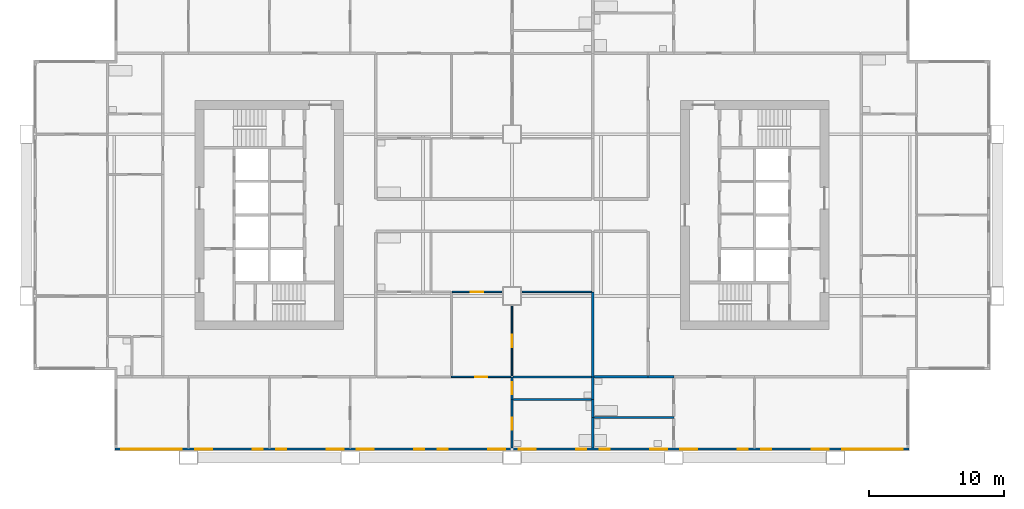
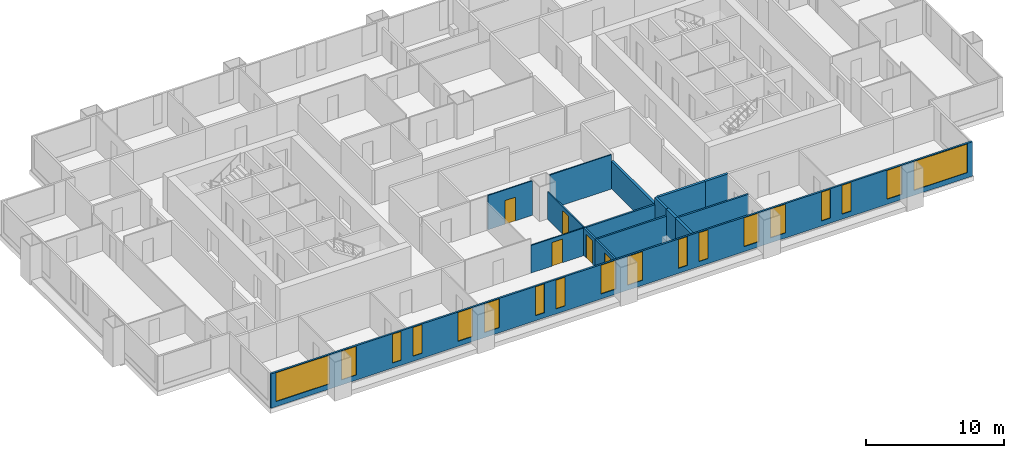
# One storey, part 5 of 11: 18 windows, 16 walls, 5 doors, 23 openings.
"""IFC4 building model written with IfcOpenShell, lengths in metres."""

from ifc_helpers import new_model, si_unit, direction, frame, frame_2d, origin, place, context, subcontext, project, spatial, rectangle, extrude, material, layer, layer_set, type_object, element, fill, save


model = new_model("IFC4")

# Units and contexts
model_context = context("Model", 3, precision=1e-05, world=origin(), true_north=direction((0.0, 1.0)))
body_context = subcontext(model_context, "Body", "Model", "MODEL_VIEW")
ifc_project = project(units=[si_unit("LENGTHUNIT", "METRE"), si_unit("AREAUNIT", "SQUARE_METRE"), si_unit("VOLUMEUNIT", "CUBIC_METRE"), si_unit("PLANEANGLEUNIT", "RADIAN"), si_unit("MASSUNIT", "GRAM", prefix="KILO")], contexts=[model_context])

# Site, building, storey
site_placement = place(None, origin())
site = spatial("IfcSite", under=ifc_project, at=site_placement, CompositionType="ELEMENT")
building_placement = place(site_placement, origin())
building = spatial("IfcBuilding", under=site, at=building_placement, Name="Kitamizu Gate Tower and Museum", CompositionType="ELEMENT")
storey_placement = place(building_placement, frame((0.0, 0.0, 124.199951171875)))
storey = spatial("IfcBuildingStorey", under=building, at=storey_placement, Name="L32", CompositionType="ELEMENT", Elevation=124.199951171875)

# Wall, opening, door
ifc_material_1 = material(Name="Gypsum board on galvanised stud")
ifc_layer_1 = layer(ifc_material_1, 0.10009765625)
ifc_layer_set_1 = layer_set([ifc_layer_1], Name="Gypsum board on galvanised stud")
wall_type_1 = type_object("IfcWallType", Name="Partition 100 NOT RATED", PredefinedType="PARTITIONING", material=ifc_layer_set_1)
wall_1_placement = place(storey_placement, frame((35.925048828125, 18.0, 0.0), z_axis=(0.0, 0.0, 1.0), x_axis=(-1.0, 0.0, 0.0)))
wall_1 = element("IfcWall", 1, at=wall_1_placement, inside=storey, type_object=wall_type_1, Name="Partition L32-012", PredefinedType="PARTITIONING", context=body_context, shape_type="SweptSolid", body=[
    extrude(rectangle(XDim=4.425048828125, YDim=0.10009765625, at=frame_2d((2.21240234375, 0.0))), origin(), (0.0, 0.0, 1.0), 2.449951171875),
])
opening_1_placement = place(wall_1_placement, frame((1.762451171875, 0.0, 0.0)))
opening_1 = element("IfcOpeningElement", 2, at=opening_1_placement, cuts=wall_1, Name="Opening L32-004", PredefinedType="OPENING", context=body_context, shape_type="SweptSolid", body=[
    extrude(rectangle(XDim=0.89990234375, YDim=2.10009765625, at=frame_2d((0.449951171875, 1.050048828125))), frame((0.0, 0.06005859375, 0.0), z_axis=(0.0, -1.0, 0.0), x_axis=(1.0, 0.0, 0.0)), (0.0, 0.0, 1.0), 0.1201171875),
])
ifc_material_2 = material(Name="Timber door set", Category="wood")
door_type_1 = type_object("IfcDoorType", Name="Room door 900", OperationType="NOTDEFINED", PredefinedType="DOOR", material=ifc_material_2)
door_1_placement = place(opening_1_placement, frame((0.89990234375, 0.0, 0.0), x_axis=(-1.0, 0.0, 0.0)))
door_1 = element("IfcDoor", 3, at=door_1_placement, inside=storey, type_object=door_type_1, Name="Door L32-004", OperationType="SINGLE_SWING_RIGHT", OverallHeight=2.10009765625, OverallWidth=0.89990234375, PredefinedType="DOOR", context=body_context, shape_type="SweptSolid", body=[
    extrude(rectangle(XDim=0.89990234375, YDim=2.10009765625, at=frame_2d((0.449951171875, 1.050048828125))), frame((0.0, 0.02490234375, 0.0), z_axis=(0.0, -1.0, 0.0), x_axis=(1.0, 0.0, 0.0)), (0.0, 0.0, 1.0), 0.050048828125),
])
fill(opening_1, door_1)

wall_2_placement = place(storey_placement, frame((36.0, 18.074951171875, 0.0), z_axis=(0.0, 0.0, 1.0), x_axis=(0.0, 1.0, 0.0)))
wall_2 = element("IfcWall", 4, at=wall_2_placement, inside=storey, type_object=wall_type_1, Name="Partition L32-024", PredefinedType="PARTITIONING", context=body_context, shape_type="SweptSolid", body=[
    extrude(rectangle(XDim=5.175048828125, YDim=0.10009765625, at=frame_2d((2.58740234375, 0.0))), origin(), (0.0, 0.0, 1.0), 2.449951171875),
])
opening_2_placement = place(wall_2_placement, frame((2.137451171875, 0.0, 0.0)))
opening_2 = element("IfcOpeningElement", 5, at=opening_2_placement, cuts=wall_2, Name="Opening L32-008", PredefinedType="OPENING", context=body_context, shape_type="SweptSolid", body=[
    extrude(rectangle(XDim=0.89990234375, YDim=2.10009765625, at=frame_2d((0.449951171875, 1.050048828125))), frame((0.0, 0.06005859375, 0.0), z_axis=(0.0, -1.0, 0.0), x_axis=(1.0, 0.0, 0.0)), (0.0, 0.0, 1.0), 0.1201171875),
])
door_2_placement = place(opening_2_placement, origin())
door_2 = element("IfcDoor", 6, at=door_2_placement, inside=storey, type_object=door_type_1, Name="Door L32-008", OperationType="SINGLE_SWING_LEFT", OverallHeight=2.10009765625, OverallWidth=0.89990234375, PredefinedType="DOOR", context=body_context, shape_type="SweptSolid", body=[
    extrude(rectangle(XDim=0.89990234375, YDim=2.10009765625, at=frame_2d((0.449951171875, 1.050048828125))), frame((0.0, 0.02490234375, 0.0), z_axis=(0.0, -1.0, 0.0), x_axis=(1.0, 0.0, 0.0)), (0.0, 0.0, 1.0), 0.050048828125),
])
fill(opening_2, door_2)

wall_3_placement = place(storey_placement, frame((35.25, 24.300048828125, 0.0), z_axis=(0.0, 0.0, 1.0), x_axis=(-1.0, 0.0, 0.0)))
wall_3 = element("IfcWall", 7, at=wall_3_placement, inside=storey, type_object=wall_type_1, Name="Partition L32-025", PredefinedType="PARTITIONING", context=body_context, shape_type="SweptSolid", body=[
    extrude(rectangle(XDim=3.699951171875, YDim=0.10009765625, at=frame_2d((1.85009765625, 0.0))), origin(), (0.0, 0.0, 1.0), 3.050048828125),
])
opening_3_placement = place(wall_3_placement, frame((1.39990234375, 0.0, 0.0)))
opening_3 = element("IfcOpeningElement", 8, at=opening_3_placement, cuts=wall_3, Name="Opening L32-010", PredefinedType="OPENING", context=body_context, shape_type="SweptSolid", body=[
    extrude(rectangle(XDim=0.89990234375, YDim=2.10009765625, at=frame_2d((0.449951171875, 1.050048828125))), frame((0.0, 0.06005859375, 0.0), z_axis=(0.0, -1.0, 0.0), x_axis=(1.0, 0.0, 0.0)), (0.0, 0.0, 1.0), 0.1201171875),
])
door_3_placement = place(opening_3_placement, origin())
door_3 = element("IfcDoor", 9, at=door_3_placement, inside=storey, type_object=door_type_1, Name="Door L32-010", OperationType="SINGLE_SWING_LEFT", OverallHeight=2.10009765625, OverallWidth=0.89990234375, PredefinedType="DOOR", context=body_context, shape_type="SweptSolid", body=[
    extrude(rectangle(XDim=0.89990234375, YDim=2.10009765625, at=frame_2d((0.449951171875, 1.050048828125))), frame((0.0, 0.02490234375, 0.0), z_axis=(0.0, -1.0, 0.0), x_axis=(1.0, 0.0, 0.0)), (0.0, 0.0, 1.0), 0.050048828125),
])
fill(opening_3, door_3)

# Wall
wall_4_placement = place(storey_placement, frame((41.89990234375, 24.300048828125, 0.0), z_axis=(0.0, 0.0, 1.0), x_axis=(-1.0, 0.0, 0.0)))
element("IfcWall", 10, at=wall_4_placement, inside=storey, type_object=wall_type_1, Name="Partition L32-026", PredefinedType="PARTITIONING", context=body_context, shape_type="SweptSolid", body=[
    extrude(rectangle(XDim=5.14990234375, YDim=0.10009765625, at=frame_2d((2.574951171875, 0.0))), origin(), (0.0, 0.0, 1.0), 3.050048828125),
])

# Wall, opening, door
ifc_material_3 = material(Name="Gypsum board on galvanised stud")
ifc_layer_2 = layer(ifc_material_3, 0.14990234375)
ifc_layer_set_2 = layer_set([ifc_layer_2], Name="Gypsum board on galvanised stud")
wall_type_2 = type_object("IfcWallType", Name="Partition 150", PredefinedType="PARTITIONING", material=ifc_layer_set_2)
wall_5_placement = place(storey_placement, frame((36.0, 12.719970703125, 0.0), z_axis=(0.0, 0.0, 1.0), x_axis=(0.0, 1.0, 0.0)))
wall_5 = element("IfcWall", 11, at=wall_5_placement, inside=storey, type_object=wall_type_2, Name="Partition L32-009", PredefinedType="PARTITIONING", context=body_context, shape_type="SweptSolid", body=[
    extrude(rectangle(XDim=3.60009765625, YDim=0.14990234375, at=frame_2d((1.800048828125, 0.0))), origin(), (0.0, 0.0, 1.0), 2.449951171875),
])
opening_4_placement = place(wall_5_placement, frame((1.35009765625, 0.0, 0.0)))
opening_4 = element("IfcOpeningElement", 12, at=opening_4_placement, cuts=wall_5, Name="Opening L32-005", PredefinedType="OPENING", context=body_context, shape_type="SweptSolid", body=[
    extrude(rectangle(XDim=0.89990234375, YDim=2.10009765625, at=frame_2d((0.449951171875, 1.050048828125))), frame((0.0, 0.0849609375, 0.0), z_axis=(0.0, -1.0, 0.0), x_axis=(1.0, 0.0, 0.0)), (0.0, 0.0, 1.0), 0.169921875),
])
ifc_material_4 = material(Name="Timber door set", Category="wood")
door_type_2 = type_object("IfcDoorType", Name="Bathroom door 900", OperationType="NOTDEFINED", PredefinedType="DOOR", material=ifc_material_4)
door_4_placement = place(opening_4_placement, frame((0.89990234375, 0.0, 0.0), x_axis=(-1.0, 0.0, 0.0)))
door_4 = element("IfcDoor", 13, at=door_4_placement, inside=storey, type_object=door_type_2, Name="Bathroom door L32-005", OperationType="SINGLE_SWING_LEFT", OverallHeight=2.10009765625, OverallWidth=0.89990234375, PredefinedType="DOOR", context=body_context, shape_type="SweptSolid", body=[
    extrude(rectangle(XDim=0.89990234375, YDim=2.10009765625, at=frame_2d((0.449951171875, 1.050048828125))), frame((0.0, 0.02490234375, 0.0), z_axis=(0.0, -1.0, 0.0), x_axis=(1.0, 0.0, 0.0)), (0.0, 0.0, 1.0), 0.050048828125),
])
fill(opening_4, door_4)

wall_6_placement = place(storey_placement, frame((36.0, 16.320068359375, 0.0), z_axis=(0.0, 0.0, 1.0), x_axis=(0.0, 1.0, 0.0)))
wall_6 = element("IfcWall", 14, at=wall_6_placement, inside=storey, type_object=wall_type_2, Name="Partition L32-010", PredefinedType="PARTITIONING", context=body_context, shape_type="SweptSolid", body=[
    extrude(rectangle(XDim=1.679931640625, YDim=0.14990234375, at=frame_2d((0.83984375, 0.0))), origin(), (0.0, 0.0, 1.0), 2.449951171875),
])
opening_5_placement = place(wall_6_placement, frame((0.389892578125, 0.0, 0.0)))
opening_5 = element("IfcOpeningElement", 15, at=opening_5_placement, cuts=wall_6, Name="Opening L32-007", PredefinedType="OPENING", context=body_context, shape_type="SweptSolid", body=[
    extrude(rectangle(XDim=0.89990234375, YDim=2.10009765625, at=frame_2d((0.449951171875, 1.050048828125))), frame((0.0, 0.0849609375, 0.0), z_axis=(0.0, -1.0, 0.0), x_axis=(1.0, 0.0, 0.0)), (0.0, 0.0, 1.0), 0.169921875),
])
door_5_placement = place(opening_5_placement, frame((0.89990234375, 0.0, 0.0), x_axis=(-1.0, 0.0, 0.0)))
door_5 = element("IfcDoor", 16, at=door_5_placement, inside=storey, type_object=door_type_2, Name="Bathroom door L32-007", OperationType="SINGLE_SWING_LEFT", OverallHeight=2.10009765625, OverallWidth=0.89990234375, PredefinedType="DOOR", context=body_context, shape_type="SweptSolid", body=[
    extrude(rectangle(XDim=0.89990234375, YDim=2.10009765625, at=frame_2d((0.449951171875, 1.050048828125))), frame((0.0, 0.02490234375, 0.0), z_axis=(0.0, -1.0, 0.0), x_axis=(1.0, 0.0, 0.0)), (0.0, 0.0, 1.0), 0.050048828125),
])
fill(opening_5, door_5)

# Walls
for number, where, z_axis, x_axis, name in (
    (17, (41.89990234375, 16.320068359375, 0.0), (0.0, 0.0, 1.0), (-1.0, 0.0, 0.0), "Partition L32-014"),
    (18, (41.89990234375, 18.0, 0.0), (0.0, 0.0, 1.0), (-1.0, 0.0, 0.0), "Partition L32-017"),
):
    element("IfcWall", number, at=place(storey_placement, frame(where, z_axis=z_axis, x_axis=x_axis)), inside=storey, type_object=wall_type_2, Name=name, PredefinedType="PARTITIONING", context=body_context, shape_type="SweptSolid", body=[
        extrude(rectangle(XDim=5.824951171875, YDim=0.14990234375, at=frame_2d((2.91259765625, 0.0))), origin(), (0.0, 0.0, 1.0), 2.449951171875),
    ])
wall_7_placement = place(storey_placement, frame((48.0, 15.0, 0.0), z_axis=(0.0, 0.0, 1.0), x_axis=(-1.0, 0.0, 0.0)))
element("IfcWall", 19, at=wall_7_placement, inside=storey, type_object=wall_type_2, Name="Partition L32-086", PredefinedType="PARTITIONING", context=body_context, shape_type="SweptSolid", body=[
    extrude(rectangle(XDim=5.89990234375, YDim=0.14990234375, at=frame_2d((2.949951171875, 0.0))), origin(), (0.0, 0.0, 1.0), 3.050048828125),
])
ifc_material_5 = material(Name="Gypsum board on galvanised stud")
ifc_layer_3 = layer(ifc_material_5, 0.199951171875)
ifc_layer_set_3 = layer_set([ifc_layer_3], Name="Gypsum board on galvanised stud")
wall_type_3 = type_object("IfcWallType", Name="Partition 200", PredefinedType="PARTITIONING", material=ifc_layer_set_3)
wall_8_placement = place(storey_placement, frame((42.0, 12.719970703125, 0.0), z_axis=(0.0, 0.0, 1.0), x_axis=(0.0, 1.0, 0.0)))
element("IfcWall", 20, at=wall_8_placement, inside=storey, type_object=wall_type_3, Name="Partition L32-015", PredefinedType="PARTITIONING", context=body_context, shape_type="SweptSolid", body=[
    extrude(rectangle(XDim=2.280029296875, YDim=0.199951171875, at=frame_2d((1.14013671875, 0.0))), origin(), (0.0, 0.0, 1.0), 3.050048828125),
])
wall_9_placement = place(storey_placement, frame((42.0, 15.0, 0.0), z_axis=(0.0, 0.0, 1.0), x_axis=(0.0, 1.0, 0.0)))
element("IfcWall", 21, at=wall_9_placement, inside=storey, type_object=wall_type_3, Name="Partition L32-016", PredefinedType="PARTITIONING", context=body_context, shape_type="SweptSolid", body=[
    extrude(rectangle(XDim=1.320068359375, YDim=0.199951171875, at=frame_2d((0.66015625, 0.0))), origin(), (0.0, 0.0, 1.0), 3.050048828125),
])
wall_10_placement = place(storey_placement, frame((42.0, 16.320068359375, 0.0), z_axis=(0.0, 0.0, 1.0), x_axis=(0.0, 1.0, 0.0)))
element("IfcWall", 22, at=wall_10_placement, inside=storey, type_object=wall_type_3, Name="Partition L32-018", PredefinedType="PARTITIONING", context=body_context, shape_type="SweptSolid", body=[
    extrude(rectangle(XDim=1.679931640625, YDim=0.199951171875, at=frame_2d((0.83984375, 0.0))), origin(), (0.0, 0.0, 1.0), 3.050048828125),
])
wall_11_placement = place(storey_placement, frame((42.0, 18.0, 0.0), z_axis=(0.0, 0.0, 1.0), x_axis=(0.0, 1.0, 0.0)))
element("IfcWall", 23, at=wall_11_placement, inside=storey, type_object=wall_type_3, Name="Partition L32-027", PredefinedType="PARTITIONING", context=body_context, shape_type="SweptSolid", body=[
    extrude(rectangle(XDim=6.300048828125, YDim=0.199951171875, at=frame_2d((3.14990234375, 0.0))), origin(), (0.0, 0.0, 1.0), 2.449951171875),
])
wall_12_placement = place(storey_placement, frame((46.10009765625, 18.0, 0.0), z_axis=(0.0, 0.0, 1.0), x_axis=(-1.0, 0.0, 0.0)))
element("IfcWall", 24, at=wall_12_placement, inside=storey, type_object=wall_type_3, Name="Partition L32-089", PredefinedType="PARTITIONING", context=body_context, shape_type="SweptSolid", body=[
    extrude(rectangle(XDim=4.0, YDim=0.199951171875, at=frame_2d((2.0, 0.0))), origin(), (0.0, 0.0, 1.0), 3.050048828125),
])
wall_13_placement = place(storey_placement, frame((48.0, 18.0, 0.0), z_axis=(0.0, 0.0, 1.0), x_axis=(-1.0, 0.0, 0.0)))
element("IfcWall", 25, at=wall_13_placement, inside=storey, type_object=wall_type_3, Name="Partition L32-090", PredefinedType="PARTITIONING", context=body_context, shape_type="SweptSolid", body=[
    extrude(rectangle(XDim=1.89990234375, YDim=0.199951171875, at=frame_2d((0.949951171875, 0.0))), origin(), (0.0, 0.0, 1.0), 3.050048828125),
])

# Wall, openings, windows
ifc_material_6 = material(Name="Bronze anodised aluminium frame with insulated spandrel and tinted glass", Category="aluminium")
ifc_layer_4 = layer(ifc_material_6, 0.14990234375)
ifc_layer_set_4 = layer_set([ifc_layer_4], Name="Bronze anodised aluminium frame with insulated spandrel and tinted glass")
wall_type_4 = type_object("IfcWallType", Name="WINDOW WALL 150 BRONZE FRAME EI 30", PredefinedType="ELEMENTEDWALL", material=ifc_layer_set_4)
wall_14_placement = place(storey_placement, frame((6.56005859375, 12.635009765625, 0.0), z_axis=(0.0, 0.0, 1.0), x_axis=(1.0, 0.0, 0.0)))
wall_14 = element("IfcWall", 26, at=wall_14_placement, inside=storey, type_object=wall_type_4, Name="Window wall south L32", PredefinedType="ELEMENTEDWALL", context=body_context, shape_type="SweptSolid", body=[
    extrude(rectangle(XDim=58.8798828125, YDim=0.14990234375, at=frame_2d((29.43994140625, 0.0))), origin(), (0.0, 0.0, 1.0), 3.050048828125),
])
opening_6_placement = place(wall_14_placement, frame((0.43994140625, 0.0, 0.449951171875)))
opening_6 = element("IfcOpeningElement", 27, at=opening_6_placement, cuts=wall_14, Name="Opening W15", PredefinedType="OPENING", context=body_context, shape_type="SweptSolid", body=[
    extrude(rectangle(XDim=4.5, YDim=2.550048828125, at=frame_2d((2.25, 1.27490234375))), frame((0.0, 0.0849609375, 0.0), z_axis=(0.0, -1.0, 0.0), x_axis=(1.0, 0.0, 0.0)), (0.0, 0.0, 1.0), 0.169921875),
])
opening_7_placement = place(wall_14_placement, frame((5.93994140625, 0.0, 0.449951171875)))
opening_7 = element("IfcOpeningElement", 28, at=opening_7_placement, cuts=wall_14, Name="Opening W27", PredefinedType="OPENING", context=body_context, shape_type="SweptSolid", body=[
    extrude(rectangle(XDim=1.25, YDim=2.550048828125, at=frame_2d((0.625, 1.27490234375))), frame((0.0, 0.0849609375, 0.0), z_axis=(0.0, -1.0, 0.0), x_axis=(1.0, 0.0, 0.0)), (0.0, 0.0, 1.0), 0.169921875),
])
opening_8_placement = place(wall_14_placement, frame((10.18994140625, 0.0, 0.449951171875)))
opening_8 = element("IfcOpeningElement", 29, at=opening_8_placement, cuts=wall_14, Name="Opening W25", PredefinedType="OPENING", context=body_context, shape_type="SweptSolid", body=[
    extrude(rectangle(XDim=0.75, YDim=2.550048828125, at=frame_2d((0.375, 1.27490234375))), frame((0.0, 0.0849609375, 0.0), z_axis=(0.0, -1.0, 0.0), x_axis=(1.0, 0.0, 0.0)), (0.0, 0.0, 1.0), 0.169921875),
])
opening_9_placement = place(wall_14_placement, frame((11.93994140625, 0.0, 0.449951171875)))
opening_9 = element("IfcOpeningElement", 30, at=opening_9_placement, cuts=wall_14, Name="Opening W25", PredefinedType="OPENING", context=body_context, shape_type="SweptSolid", body=[
    extrude(rectangle(XDim=0.75, YDim=2.550048828125, at=frame_2d((0.375, 1.27490234375))), frame((0.0, 0.0849609375, 0.0), z_axis=(0.0, -1.0, 0.0), x_axis=(1.0, 0.0, 0.0)), (0.0, 0.0, 1.0), 0.169921875),
])
opening_10_placement = place(wall_14_placement, frame((15.68994140625, 0.0, 0.449951171875)))
opening_10 = element("IfcOpeningElement", 31, at=opening_10_placement, cuts=wall_14, Name="Opening W27", PredefinedType="OPENING", context=body_context, shape_type="SweptSolid", body=[
    extrude(rectangle(XDim=1.25, YDim=2.550048828125, at=frame_2d((0.625, 1.27490234375))), frame((0.0, 0.0849609375, 0.0), z_axis=(0.0, -1.0, 0.0), x_axis=(1.0, 0.0, 0.0)), (0.0, 0.0, 1.0), 0.169921875),
])
opening_11_placement = place(wall_14_placement, frame((17.93994140625, 0.0, 0.449951171875)))
opening_11 = element("IfcOpeningElement", 32, at=opening_11_placement, cuts=wall_14, Name="Opening W27", PredefinedType="OPENING", context=body_context, shape_type="SweptSolid", body=[
    extrude(rectangle(XDim=1.25, YDim=2.550048828125, at=frame_2d((0.625, 1.27490234375))), frame((0.0, 0.0849609375, 0.0), z_axis=(0.0, -1.0, 0.0), x_axis=(1.0, 0.0, 0.0)), (0.0, 0.0, 1.0), 0.169921875),
])
opening_12_placement = place(wall_14_placement, frame((22.18994140625, 0.0, 0.449951171875)))
opening_12 = element("IfcOpeningElement", 33, at=opening_12_placement, cuts=wall_14, Name="Opening W25", PredefinedType="OPENING", context=body_context, shape_type="SweptSolid", body=[
    extrude(rectangle(XDim=0.75, YDim=2.550048828125, at=frame_2d((0.375, 1.27490234375))), frame((0.0, 0.0849609375, 0.0), z_axis=(0.0, -1.0, 0.0), x_axis=(1.0, 0.0, 0.0)), (0.0, 0.0, 1.0), 0.169921875),
])
opening_13_placement = place(wall_14_placement, frame((23.93994140625, 0.0, 0.449951171875)))
opening_13 = element("IfcOpeningElement", 34, at=opening_13_placement, cuts=wall_14, Name="Opening W25", PredefinedType="OPENING", context=body_context, shape_type="SweptSolid", body=[
    extrude(rectangle(XDim=0.75, YDim=2.550048828125, at=frame_2d((0.375, 1.27490234375))), frame((0.0, 0.0849609375, 0.0), z_axis=(0.0, -1.0, 0.0), x_axis=(1.0, 0.0, 0.0)), (0.0, 0.0, 1.0), 0.169921875),
])
opening_14_placement = place(wall_14_placement, frame((27.68994140625, 0.0, 0.449951171875)))
opening_14 = element("IfcOpeningElement", 35, at=opening_14_placement, cuts=wall_14, Name="Opening W27", PredefinedType="OPENING", context=body_context, shape_type="SweptSolid", body=[
    extrude(rectangle(XDim=1.25, YDim=2.550048828125, at=frame_2d((0.625, 1.27490234375))), frame((0.0, 0.0849609375, 0.0), z_axis=(0.0, -1.0, 0.0), x_axis=(1.0, 0.0, 0.0)), (0.0, 0.0, 1.0), 0.169921875),
])
opening_15_placement = place(wall_14_placement, frame((29.93994140625, 0.0, 0.449951171875)))
opening_15 = element("IfcOpeningElement", 36, at=opening_15_placement, cuts=wall_14, Name="Opening W27", PredefinedType="OPENING", context=body_context, shape_type="SweptSolid", body=[
    extrude(rectangle(XDim=1.25, YDim=2.550048828125, at=frame_2d((0.625, 1.27490234375))), frame((0.0, 0.0849609375, 0.0), z_axis=(0.0, -1.0, 0.0), x_axis=(1.0, 0.0, 0.0)), (0.0, 0.0, 1.0), 0.169921875),
])
opening_16_placement = place(wall_14_placement, frame((34.18994140625, 0.0, 0.449951171875)))
opening_16 = element("IfcOpeningElement", 37, at=opening_16_placement, cuts=wall_14, Name="Opening W25", PredefinedType="OPENING", context=body_context, shape_type="SweptSolid", body=[
    extrude(rectangle(XDim=0.75, YDim=2.550048828125, at=frame_2d((0.375, 1.27490234375))), frame((0.0, 0.0849609375, 0.0), z_axis=(0.0, -1.0, 0.0), x_axis=(1.0, 0.0, 0.0)), (0.0, 0.0, 1.0), 0.169921875),
])
opening_17_placement = place(wall_14_placement, frame((35.93994140625, 0.0, 0.449951171875)))
opening_17 = element("IfcOpeningElement", 38, at=opening_17_placement, cuts=wall_14, Name="Opening W25", PredefinedType="OPENING", context=body_context, shape_type="SweptSolid", body=[
    extrude(rectangle(XDim=0.75, YDim=2.550048828125, at=frame_2d((0.375, 1.27490234375))), frame((0.0, 0.0849609375, 0.0), z_axis=(0.0, -1.0, 0.0), x_axis=(1.0, 0.0, 0.0)), (0.0, 0.0, 1.0), 0.169921875),
])
opening_18_placement = place(wall_14_placement, frame((39.68994140625, 0.0, 0.449951171875)))
opening_18 = element("IfcOpeningElement", 39, at=opening_18_placement, cuts=wall_14, Name="Opening W27", PredefinedType="OPENING", context=body_context, shape_type="SweptSolid", body=[
    extrude(rectangle(XDim=1.25, YDim=2.550048828125, at=frame_2d((0.625, 1.27490234375))), frame((0.0, 0.0849609375, 0.0), z_axis=(0.0, -1.0, 0.0), x_axis=(1.0, 0.0, 0.0)), (0.0, 0.0, 1.0), 0.169921875),
])
opening_19_placement = place(wall_14_placement, frame((41.93994140625, 0.0, 0.449951171875)))
opening_19 = element("IfcOpeningElement", 40, at=opening_19_placement, cuts=wall_14, Name="Opening W27", PredefinedType="OPENING", context=body_context, shape_type="SweptSolid", body=[
    extrude(rectangle(XDim=1.25, YDim=2.550048828125, at=frame_2d((0.625, 1.27490234375))), frame((0.0, 0.0849609375, 0.0), z_axis=(0.0, -1.0, 0.0), x_axis=(1.0, 0.0, 0.0)), (0.0, 0.0, 1.0), 0.169921875),
])
opening_20_placement = place(wall_14_placement, frame((46.18994140625, 0.0, 0.449951171875)))
opening_20 = element("IfcOpeningElement", 41, at=opening_20_placement, cuts=wall_14, Name="Opening W25", PredefinedType="OPENING", context=body_context, shape_type="SweptSolid", body=[
    extrude(rectangle(XDim=0.75, YDim=2.550048828125, at=frame_2d((0.375, 1.27490234375))), frame((0.0, 0.0849609375, 0.0), z_axis=(0.0, -1.0, 0.0), x_axis=(1.0, 0.0, 0.0)), (0.0, 0.0, 1.0), 0.169921875),
])
opening_21_placement = place(wall_14_placement, frame((47.93994140625, 0.0, 0.449951171875)))
opening_21 = element("IfcOpeningElement", 42, at=opening_21_placement, cuts=wall_14, Name="Opening W25", PredefinedType="OPENING", context=body_context, shape_type="SweptSolid", body=[
    extrude(rectangle(XDim=0.75, YDim=2.550048828125, at=frame_2d((0.375, 1.27490234375))), frame((0.0, 0.0849609375, 0.0), z_axis=(0.0, -1.0, 0.0), x_axis=(1.0, 0.0, 0.0)), (0.0, 0.0, 1.0), 0.169921875),
])
opening_22_placement = place(wall_14_placement, frame((51.68994140625, 0.0, 0.449951171875)))
opening_22 = element("IfcOpeningElement", 43, at=opening_22_placement, cuts=wall_14, Name="Opening W27", PredefinedType="OPENING", context=body_context, shape_type="SweptSolid", body=[
    extrude(rectangle(XDim=1.25, YDim=2.550048828125, at=frame_2d((0.625, 1.27490234375))), frame((0.0, 0.0849609375, 0.0), z_axis=(0.0, -1.0, 0.0), x_axis=(1.0, 0.0, 0.0)), (0.0, 0.0, 1.0), 0.169921875),
])
opening_23_placement = place(wall_14_placement, frame((53.93994140625, 0.0, 0.449951171875)))
opening_23 = element("IfcOpeningElement", 44, at=opening_23_placement, cuts=wall_14, Name="Opening W15", PredefinedType="OPENING", context=body_context, shape_type="SweptSolid", body=[
    extrude(rectangle(XDim=4.5, YDim=2.550048828125, at=frame_2d((2.25, 1.27490234375))), frame((0.0, 0.0849609375, 0.0), z_axis=(0.0, -1.0, 0.0), x_axis=(1.0, 0.0, 0.0)), (0.0, 0.0, 1.0), 0.169921875),
])
ifc_material_7 = material(Name="Bronze anodised aluminium frame, tinted triple glazing", Category="aluminium")
window_type_1 = type_object("IfcWindowType", Name="WINDOW 1250 x 2550 SILL 450", PartitioningType="SINGLE_PANEL", PredefinedType="WINDOW", material=ifc_material_7)
window_1_placement = place(opening_7_placement, origin())
window_1 = element("IfcWindow", 45, at=window_1_placement, inside=storey, type_object=window_type_1, Name="Window W27 L32", OverallHeight=2.550048828125, OverallWidth=1.25, PartitioningType="SINGLE_PANEL", PredefinedType="WINDOW", context=body_context, shape_type="SweptSolid", body=[
    extrude(rectangle(XDim=1.25, YDim=2.550048828125, at=frame_2d((0.625, 1.27490234375))), frame((0.0, 0.030029296875, 0.0), z_axis=(0.0, -1.0, 0.0), x_axis=(1.0, 0.0, 0.0)), (0.0, 0.0, 1.0), 0.06005859375),
])
fill(opening_7, window_1)
window_2_placement = place(opening_10_placement, origin())
window_2 = element("IfcWindow", 46, at=window_2_placement, inside=storey, type_object=window_type_1, Name="Window W27 L32", OverallHeight=2.550048828125, OverallWidth=1.25, PartitioningType="SINGLE_PANEL", PredefinedType="WINDOW", context=body_context, shape_type="SweptSolid", body=[
    extrude(rectangle(XDim=1.25, YDim=2.550048828125, at=frame_2d((0.625, 1.27490234375))), frame((0.0, 0.030029296875, 0.0), z_axis=(0.0, -1.0, 0.0), x_axis=(1.0, 0.0, 0.0)), (0.0, 0.0, 1.0), 0.06005859375),
])
fill(opening_10, window_2)
window_3_placement = place(opening_11_placement, origin())
window_3 = element("IfcWindow", 47, at=window_3_placement, inside=storey, type_object=window_type_1, Name="Window W27 L32", OverallHeight=2.550048828125, OverallWidth=1.25, PartitioningType="SINGLE_PANEL", PredefinedType="WINDOW", context=body_context, shape_type="SweptSolid", body=[
    extrude(rectangle(XDim=1.25, YDim=2.550048828125, at=frame_2d((0.625, 1.27490234375))), frame((0.0, 0.030029296875, 0.0), z_axis=(0.0, -1.0, 0.0), x_axis=(1.0, 0.0, 0.0)), (0.0, 0.0, 1.0), 0.06005859375),
])
fill(opening_11, window_3)
window_4_placement = place(opening_14_placement, origin())
window_4 = element("IfcWindow", 48, at=window_4_placement, inside=storey, type_object=window_type_1, Name="Window W27 L32", OverallHeight=2.550048828125, OverallWidth=1.25, PartitioningType="SINGLE_PANEL", PredefinedType="WINDOW", context=body_context, shape_type="SweptSolid", body=[
    extrude(rectangle(XDim=1.25, YDim=2.550048828125, at=frame_2d((0.625, 1.27490234375))), frame((0.0, 0.030029296875, 0.0), z_axis=(0.0, -1.0, 0.0), x_axis=(1.0, 0.0, 0.0)), (0.0, 0.0, 1.0), 0.06005859375),
])
fill(opening_14, window_4)
window_5_placement = place(opening_15_placement, origin())
window_5 = element("IfcWindow", 49, at=window_5_placement, inside=storey, type_object=window_type_1, Name="Window W27 L32", OverallHeight=2.550048828125, OverallWidth=1.25, PartitioningType="SINGLE_PANEL", PredefinedType="WINDOW", context=body_context, shape_type="SweptSolid", body=[
    extrude(rectangle(XDim=1.25, YDim=2.550048828125, at=frame_2d((0.625, 1.27490234375))), frame((0.0, 0.030029296875, 0.0), z_axis=(0.0, -1.0, 0.0), x_axis=(1.0, 0.0, 0.0)), (0.0, 0.0, 1.0), 0.06005859375),
])
fill(opening_15, window_5)
window_6_placement = place(opening_18_placement, origin())
window_6 = element("IfcWindow", 50, at=window_6_placement, inside=storey, type_object=window_type_1, Name="Window W27 L32", OverallHeight=2.550048828125, OverallWidth=1.25, PartitioningType="SINGLE_PANEL", PredefinedType="WINDOW", context=body_context, shape_type="SweptSolid", body=[
    extrude(rectangle(XDim=1.25, YDim=2.550048828125, at=frame_2d((0.625, 1.27490234375))), frame((0.0, 0.030029296875, 0.0), z_axis=(0.0, -1.0, 0.0), x_axis=(1.0, 0.0, 0.0)), (0.0, 0.0, 1.0), 0.06005859375),
])
fill(opening_18, window_6)
window_7_placement = place(opening_19_placement, origin())
window_7 = element("IfcWindow", 51, at=window_7_placement, inside=storey, type_object=window_type_1, Name="Window W27 L32", OverallHeight=2.550048828125, OverallWidth=1.25, PartitioningType="SINGLE_PANEL", PredefinedType="WINDOW", context=body_context, shape_type="SweptSolid", body=[
    extrude(rectangle(XDim=1.25, YDim=2.550048828125, at=frame_2d((0.625, 1.27490234375))), frame((0.0, 0.030029296875, 0.0), z_axis=(0.0, -1.0, 0.0), x_axis=(1.0, 0.0, 0.0)), (0.0, 0.0, 1.0), 0.06005859375),
])
fill(opening_19, window_7)
window_8_placement = place(opening_22_placement, origin())
window_8 = element("IfcWindow", 52, at=window_8_placement, inside=storey, type_object=window_type_1, Name="Window W27 L32", OverallHeight=2.550048828125, OverallWidth=1.25, PartitioningType="SINGLE_PANEL", PredefinedType="WINDOW", context=body_context, shape_type="SweptSolid", body=[
    extrude(rectangle(XDim=1.25, YDim=2.550048828125, at=frame_2d((0.625, 1.27490234375))), frame((0.0, 0.030029296875, 0.0), z_axis=(0.0, -1.0, 0.0), x_axis=(1.0, 0.0, 0.0)), (0.0, 0.0, 1.0), 0.06005859375),
])
fill(opening_22, window_8)
ifc_material_8 = material(Name="Bronze anodised aluminium frame, tinted triple glazing", Category="aluminium")
window_type_2 = type_object("IfcWindowType", Name="WINDOW 4500 x 2550 SILL 450", PartitioningType="SINGLE_PANEL", PredefinedType="WINDOW", material=ifc_material_8)
window_9_placement = place(opening_6_placement, origin())
window_9 = element("IfcWindow", 53, at=window_9_placement, inside=storey, type_object=window_type_2, Name="Window W15 L32", OverallHeight=2.550048828125, OverallWidth=4.5, PartitioningType="SINGLE_PANEL", PredefinedType="WINDOW", context=body_context, shape_type="SweptSolid", body=[
    extrude(rectangle(XDim=4.5, YDim=2.550048828125, at=frame_2d((2.25, 1.27490234375))), frame((0.0, 0.030029296875, 0.0), z_axis=(0.0, -1.0, 0.0), x_axis=(1.0, 0.0, 0.0)), (0.0, 0.0, 1.0), 0.06005859375),
])
fill(opening_6, window_9)
window_10_placement = place(opening_23_placement, origin())
window_10 = element("IfcWindow", 54, at=window_10_placement, inside=storey, type_object=window_type_2, Name="Window W15 L32", OverallHeight=2.550048828125, OverallWidth=4.5, PartitioningType="SINGLE_PANEL", PredefinedType="WINDOW", context=body_context, shape_type="SweptSolid", body=[
    extrude(rectangle(XDim=4.5, YDim=2.550048828125, at=frame_2d((2.25, 1.27490234375))), frame((0.0, 0.030029296875, 0.0), z_axis=(0.0, -1.0, 0.0), x_axis=(1.0, 0.0, 0.0)), (0.0, 0.0, 1.0), 0.06005859375),
])
fill(opening_23, window_10)
ifc_material_9 = material(Name="Bronze anodised aluminium frame, tinted triple glazing", Category="aluminium")
window_type_3 = type_object("IfcWindowType", Name="WINDOW 750 x 2550 SILL 450", PartitioningType="SINGLE_PANEL", PredefinedType="WINDOW", material=ifc_material_9)
window_11_placement = place(opening_8_placement, origin())
window_11 = element("IfcWindow", 55, at=window_11_placement, inside=storey, type_object=window_type_3, Name="Window W25 L32", OverallHeight=2.550048828125, OverallWidth=0.75, PartitioningType="SINGLE_PANEL", PredefinedType="WINDOW", context=body_context, shape_type="SweptSolid", body=[
    extrude(rectangle(XDim=0.75, YDim=2.550048828125, at=frame_2d((0.375, 1.27490234375))), frame((0.0, 0.030029296875, 0.0), z_axis=(0.0, -1.0, 0.0), x_axis=(1.0, 0.0, 0.0)), (0.0, 0.0, 1.0), 0.06005859375),
])
fill(opening_8, window_11)
window_12_placement = place(opening_9_placement, origin())
window_12 = element("IfcWindow", 56, at=window_12_placement, inside=storey, type_object=window_type_3, Name="Window W25 L32", OverallHeight=2.550048828125, OverallWidth=0.75, PartitioningType="SINGLE_PANEL", PredefinedType="WINDOW", context=body_context, shape_type="SweptSolid", body=[
    extrude(rectangle(XDim=0.75, YDim=2.550048828125, at=frame_2d((0.375, 1.27490234375))), frame((0.0, 0.030029296875, 0.0), z_axis=(0.0, -1.0, 0.0), x_axis=(1.0, 0.0, 0.0)), (0.0, 0.0, 1.0), 0.06005859375),
])
fill(opening_9, window_12)
window_13_placement = place(opening_12_placement, origin())
window_13 = element("IfcWindow", 57, at=window_13_placement, inside=storey, type_object=window_type_3, Name="Window W25 L32", OverallHeight=2.550048828125, OverallWidth=0.75, PartitioningType="SINGLE_PANEL", PredefinedType="WINDOW", context=body_context, shape_type="SweptSolid", body=[
    extrude(rectangle(XDim=0.75, YDim=2.550048828125, at=frame_2d((0.375, 1.27490234375))), frame((0.0, 0.030029296875, 0.0), z_axis=(0.0, -1.0, 0.0), x_axis=(1.0, 0.0, 0.0)), (0.0, 0.0, 1.0), 0.06005859375),
])
fill(opening_12, window_13)
window_14_placement = place(opening_13_placement, origin())
window_14 = element("IfcWindow", 58, at=window_14_placement, inside=storey, type_object=window_type_3, Name="Window W25 L32", OverallHeight=2.550048828125, OverallWidth=0.75, PartitioningType="SINGLE_PANEL", PredefinedType="WINDOW", context=body_context, shape_type="SweptSolid", body=[
    extrude(rectangle(XDim=0.75, YDim=2.550048828125, at=frame_2d((0.375, 1.27490234375))), frame((0.0, 0.030029296875, 0.0), z_axis=(0.0, -1.0, 0.0), x_axis=(1.0, 0.0, 0.0)), (0.0, 0.0, 1.0), 0.06005859375),
])
fill(opening_13, window_14)
window_15_placement = place(opening_16_placement, origin())
window_15 = element("IfcWindow", 59, at=window_15_placement, inside=storey, type_object=window_type_3, Name="Window W25 L32", OverallHeight=2.550048828125, OverallWidth=0.75, PartitioningType="SINGLE_PANEL", PredefinedType="WINDOW", context=body_context, shape_type="SweptSolid", body=[
    extrude(rectangle(XDim=0.75, YDim=2.550048828125, at=frame_2d((0.375, 1.27490234375))), frame((0.0, 0.030029296875, 0.0), z_axis=(0.0, -1.0, 0.0), x_axis=(1.0, 0.0, 0.0)), (0.0, 0.0, 1.0), 0.06005859375),
])
fill(opening_16, window_15)
window_16_placement = place(opening_17_placement, origin())
window_16 = element("IfcWindow", 60, at=window_16_placement, inside=storey, type_object=window_type_3, Name="Window W25 L32", OverallHeight=2.550048828125, OverallWidth=0.75, PartitioningType="SINGLE_PANEL", PredefinedType="WINDOW", context=body_context, shape_type="SweptSolid", body=[
    extrude(rectangle(XDim=0.75, YDim=2.550048828125, at=frame_2d((0.375, 1.27490234375))), frame((0.0, 0.030029296875, 0.0), z_axis=(0.0, -1.0, 0.0), x_axis=(1.0, 0.0, 0.0)), (0.0, 0.0, 1.0), 0.06005859375),
])
fill(opening_17, window_16)
window_17_placement = place(opening_20_placement, origin())
window_17 = element("IfcWindow", 61, at=window_17_placement, inside=storey, type_object=window_type_3, Name="Window W25 L32", OverallHeight=2.550048828125, OverallWidth=0.75, PartitioningType="SINGLE_PANEL", PredefinedType="WINDOW", context=body_context, shape_type="SweptSolid", body=[
    extrude(rectangle(XDim=0.75, YDim=2.550048828125, at=frame_2d((0.375, 1.27490234375))), frame((0.0, 0.030029296875, 0.0), z_axis=(0.0, -1.0, 0.0), x_axis=(1.0, 0.0, 0.0)), (0.0, 0.0, 1.0), 0.06005859375),
])
fill(opening_20, window_17)
window_18_placement = place(opening_21_placement, origin())
window_18 = element("IfcWindow", 62, at=window_18_placement, inside=storey, type_object=window_type_3, Name="Window W25 L32", OverallHeight=2.550048828125, OverallWidth=0.75, PartitioningType="SINGLE_PANEL", PredefinedType="WINDOW", context=body_context, shape_type="SweptSolid", body=[
    extrude(rectangle(XDim=0.75, YDim=2.550048828125, at=frame_2d((0.375, 1.27490234375))), frame((0.0, 0.030029296875, 0.0), z_axis=(0.0, -1.0, 0.0), x_axis=(1.0, 0.0, 0.0)), (0.0, 0.0, 1.0), 0.06005859375),
])
fill(opening_21, window_18)

save(model, "model.ifc")
